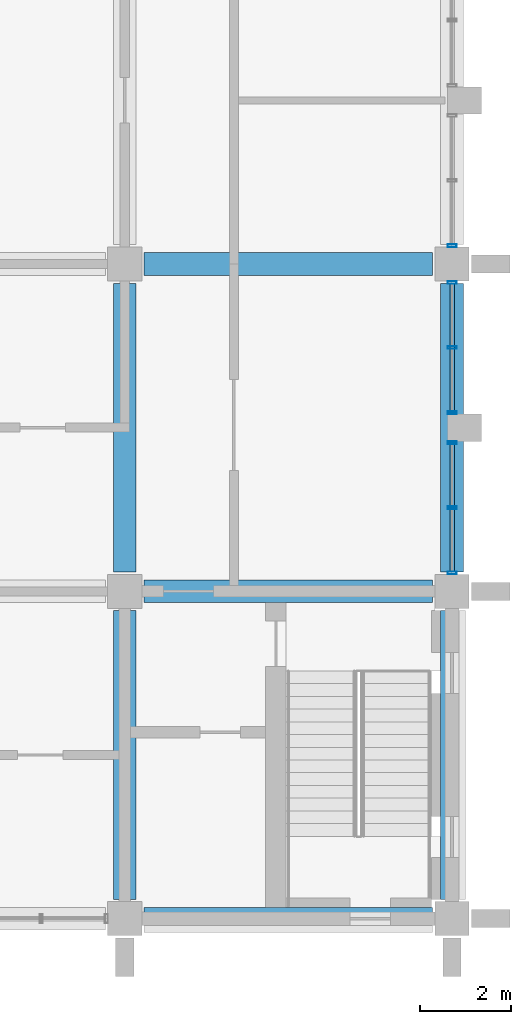
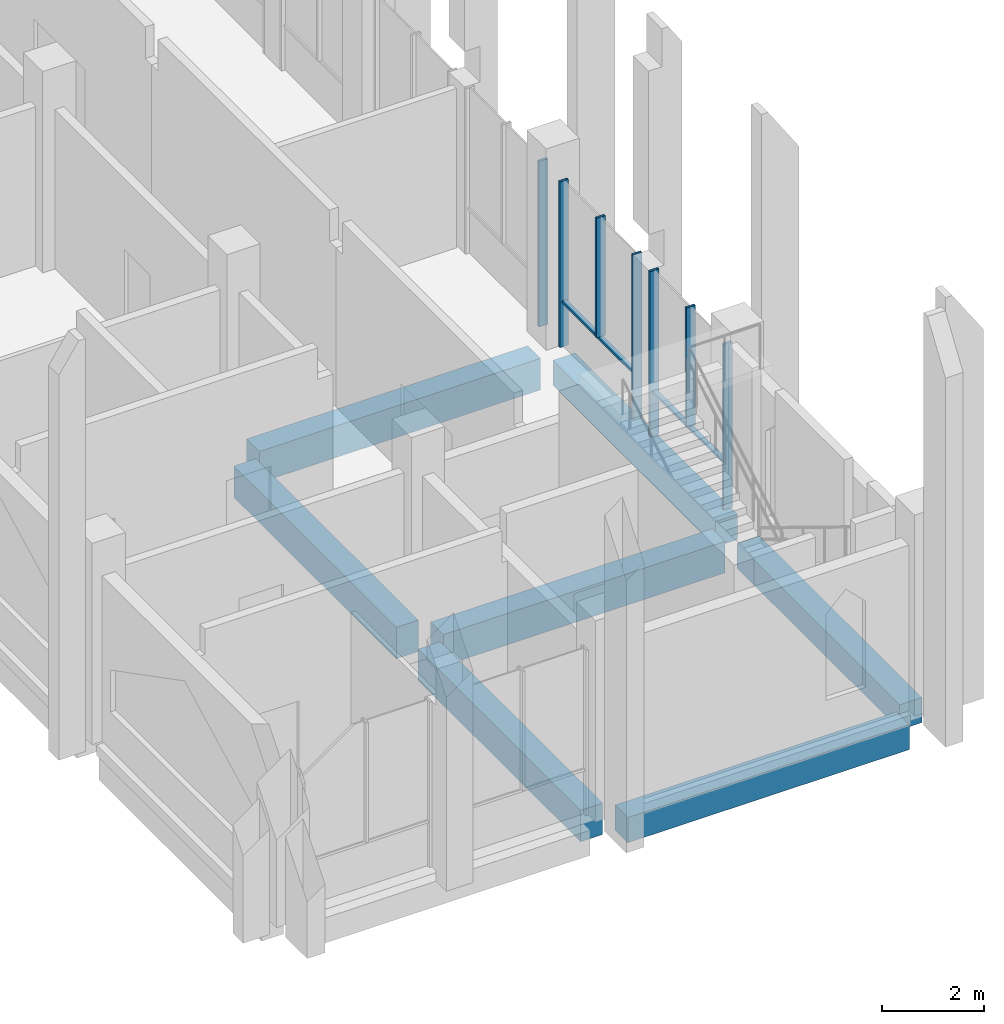
# One storey, part 16 of 40: 9 members, 7 beams, 3 elements without a shape of their own.
"""IFC4 building model written with IfcOpenShell, lengths in metres."""

from ifc_helpers import new_model, si_unit, direction, frame, origin, origin_2d, place, context, subcontext, project, spatial, rectangle, hollow_rectangle, extrude, material, material_profile, profile_set, type_object, element, aggregate, save


model = new_model("IFC4")

# Units and contexts
model_context = context("Model", 3, precision=1e-05, world=origin(), true_north=direction((0.0, 1.0)))
body_context = subcontext(model_context, "Body", "Model", "MODEL_VIEW")
ifc_project = project(units=[si_unit("LENGTHUNIT", "METRE"), si_unit("AREAUNIT", "SQUARE_METRE"), si_unit("VOLUMEUNIT", "CUBIC_METRE"), si_unit("PLANEANGLEUNIT", "RADIAN"), si_unit("MASSUNIT", "GRAM", prefix="KILO")], contexts=[model_context])

# Site, building, storey
site_placement = place(None, origin())
site = spatial("IfcSite", under=ifc_project, at=site_placement, CompositionType="ELEMENT")
building_placement = place(site_placement, origin())
building = spatial("IfcBuilding", under=site, at=building_placement, Name="Silangan Lancet Faculty of Sciences", CompositionType="ELEMENT")
storey_placement = place(building_placement, frame((0.0, 0.0, 21.60009765625)))
storey = spatial("IfcBuildingStorey", under=building, at=storey_placement, Name="L04", CompositionType="ELEMENT", Elevation=21.60009765625)

# Beams
ifc_material_1 = material(Name="Concrete C40/50", Category="concrete")
ifc_material_profile_1 = material_profile(ifc_material_1, rectangle(XDim=0.5, YDim=0.60009765625, at=origin_2d()), Name="RC 500x600")
ifc_profile_set_1 = profile_set([ifc_material_profile_1], Name="Concrete C40/50")
beam_type_1 = type_object("IfcBeamType", Name="BEAM RC 500x600", PredefinedType="BEAM", material=ifc_profile_set_1)
beam_1_placement = place(storey_placement, frame((79.625, 0.0, -0.550048828125), z_axis=(1.0, 0.0, 0.0), x_axis=(0.0, 1.0, 0.0)))
element("IfcBeam", 1, at=beam_1_placement, inside=storey, type_object=beam_type_1, Name="BM-L04-12A-13A", PredefinedType="BEAM", context=body_context, shape_type="SweptSolid", body=[
    extrude(rectangle(XDim=0.5, YDim=0.60009765625, at=origin_2d()), origin(), (0.0, 0.0, 1.0), 6.35009765625),
])
beam_2_placement = place(storey_placement, frame((86.39990234375, 0.425048828125, -0.550048828125), z_axis=(0.0, 1.0, 0.0), x_axis=(-1.0, 0.0, 0.0)))
element("IfcBeam", 2, at=beam_2_placement, inside=storey, type_object=beam_type_1, Name="BM-L04-13A-13B", PredefinedType="BEAM", context=body_context, shape_type="SweptSolid", body=[
    extrude(rectangle(XDim=0.5, YDim=0.60009765625, at=origin_2d()), origin(), (0.0, 0.0, 1.0), 6.349853515625),
])
beam_3_placement = place(storey_placement, frame((86.39990234375, 7.625, -0.550048828125), z_axis=(0.0, 1.0, 0.0), x_axis=(-1.0, 0.0, 0.0)))
element("IfcBeam", 3, at=beam_3_placement, inside=storey, type_object=beam_type_1, Name="BM-L04-13B-13C", PredefinedType="BEAM", context=body_context, shape_type="SweptSolid", body=[
    extrude(rectangle(XDim=0.5, YDim=0.60009765625, at=origin_2d()), origin(), (0.0, 0.0, 1.0), 6.35009765625),
])
ifc_material_2 = material(Name="Concrete C40/50", Category="concrete")
ifc_material_profile_2 = material_profile(ifc_material_2, rectangle(XDim=0.5, YDim=0.75, at=origin_2d()), Name="RC 500x750")
ifc_profile_set_2 = profile_set([ifc_material_profile_2], Name="Concrete C40/50")
beam_type_2 = type_object("IfcBeamType", Name="BEAM RC 500x750", PredefinedType="BEAM", material=ifc_profile_set_2)
for number, where, z_axis, x_axis, name in (
    (4, (79.625, 7.199951171875, -0.625), (1.0, 0.0, 0.0), (0.0, 1.0, 0.0), "BM-L04-12B-13B"),
    (5, (79.625, 14.39990234375, -0.625), (1.0, 0.0, 0.0), (0.0, 1.0, 0.0), "BM-L04-12C-13C"),
):
    element("IfcBeam", number, at=place(storey_placement, frame(where, z_axis=z_axis, x_axis=x_axis)), inside=storey, type_object=beam_type_2, Name=name, PredefinedType="BEAM", context=body_context, shape_type="SweptSolid", body=[
        extrude(rectangle(XDim=0.5, YDim=0.75, at=origin_2d()), origin(), (0.0, 0.0, 1.0), 6.35009765625),
    ])
beam_4_placement = place(storey_placement, frame((79.199951171875, 0.425048828125, -0.625), z_axis=(0.0, 1.0, 0.0), x_axis=(-1.0, 0.0, 0.0)))
element("IfcBeam", 6, at=beam_4_placement, inside=storey, type_object=beam_type_2, Name="BM-L04-12A-12B", PredefinedType="BEAM", context=body_context, shape_type="SweptSolid", body=[
    extrude(rectangle(XDim=0.5, YDim=0.75, at=origin_2d()), origin(), (0.0, 0.0, 1.0), 6.349853515625),
])
beam_5_placement = place(storey_placement, frame((79.199951171875, 7.625, -0.625), z_axis=(0.0, 1.0, 0.0), x_axis=(-1.0, 0.0, 0.0)))
element("IfcBeam", 7, at=beam_5_placement, inside=storey, type_object=beam_type_2, Name="BM-L04-12B-12C", PredefinedType="BEAM", context=body_context, shape_type="SweptSolid", body=[
    extrude(rectangle(XDim=0.5, YDim=0.75, at=origin_2d()), origin(), (0.0, 0.0, 1.0), 6.35009765625),
])

# Curtain wall, members
ifc_material_3 = material(Name="Aluminium framed curtain wall with insulated glass", Category="aluminium")
curtain_wall_type = type_object("IfcCurtainWallType", Name="CW1 Commons and east block glazing", PredefinedType="NOTDEFINED", material=ifc_material_3)
curtain_wall_1_placement = place(storey_placement, origin())
curtain_wall_1 = element("IfcCurtainWall", 8, at=curtain_wall_1_placement, inside=storey, type_object=curtain_wall_type, Name="CW1 East commons L04 bay 1", PredefinedType="NOTDEFINED")
ifc_material_4 = material(Name="Aluminium 6063-T6 extrusion", Category="aluminium")
ifc_material_profile_3 = material_profile(ifc_material_4, hollow_rectangle(XDim=0.06005859375, YDim=0.199951171875, WallThickness=0.00390625, at=origin_2d()), Name="AL BOX 60x200x4")
ifc_profile_set_3 = profile_set([ifc_material_profile_3], Name="Aluminium 6063-T6 extrusion")
member_type_1 = type_object("IfcMemberType", Name="CM1 Mullion 60x200", PredefinedType="MULLION", material=ifc_profile_set_3)
member_1_placement = place(storey_placement, frame((86.39990234375, 7.60498046875, 0.0), z_axis=(0.0, 0.0, 1.0), x_axis=(0.0, 1.0, 0.0)))
member_1 = element("IfcMember", 9, at=member_1_placement, type_object=member_type_1, Name="CW1 East commons L04 bay 1 mullion 1", PredefinedType="MULLION", context=body_context, shape_type="SweptSolid", body=[
    extrude(hollow_rectangle(XDim=0.06005859375, YDim=0.199951171875, WallThickness=0.00390625, at=origin_2d()), origin(), (0.0, 0.0, 1.0), 3.949951171875),
])
member_2_placement = place(storey_placement, frame((86.39990234375, 10.469970703125, 0.0), z_axis=(0.0, 0.0, 1.0), x_axis=(0.0, 1.0, 0.0)))
member_2 = element("IfcMember", 10, at=member_2_placement, type_object=member_type_1, Name="CW1 East commons L04 bay 1 mullion 2", PredefinedType="MULLION", context=body_context, shape_type="SweptSolid", body=[
    extrude(hollow_rectangle(XDim=0.06005859375, YDim=0.199951171875, WallThickness=0.00390625, at=origin_2d()), origin(), (0.0, 0.0, 1.0), 3.949951171875),
])
member_3_placement = place(storey_placement, frame((86.39990234375, 9.03759765625, 1.099853515625), z_axis=(0.0, 0.0, 1.0), x_axis=(0.0, 1.0, 0.0)))
member_3 = element("IfcMember", 11, at=member_3_placement, type_object=member_type_1, Name="CW1 East commons L04 bay 1 mullion 3", PredefinedType="MULLION", context=body_context, shape_type="SweptSolid", body=[
    extrude(hollow_rectangle(XDim=0.06005859375, YDim=0.199951171875, WallThickness=0.00390625, at=origin_2d()), origin(), (0.0, 0.0, 1.0), 2.85009765625),
])

curtain_wall_2_placement = place(storey_placement, origin())
curtain_wall_2 = element("IfcCurtainWall", 12, at=curtain_wall_2_placement, inside=storey, type_object=curtain_wall_type, Name="CW1 East commons L04 bay 2", PredefinedType="NOTDEFINED")
member_4_placement = place(storey_placement, frame((86.39990234375, 11.1298828125, 0.0), z_axis=(0.0, 0.0, 1.0), x_axis=(0.0, 1.0, 0.0)))
member_4 = element("IfcMember", 13, at=member_4_placement, type_object=member_type_1, Name="CW1 East commons L04 bay 2 mullion 1", PredefinedType="MULLION", context=body_context, shape_type="SweptSolid", body=[
    extrude(hollow_rectangle(XDim=0.06005859375, YDim=0.199951171875, WallThickness=0.00390625, at=origin_2d()), origin(), (0.0, 0.0, 1.0), 3.949951171875),
])
member_5_placement = place(storey_placement, frame((86.39990234375, 13.9951171875, 0.0), z_axis=(0.0, 0.0, 1.0), x_axis=(0.0, 1.0, 0.0)))
member_5 = element("IfcMember", 14, at=member_5_placement, type_object=member_type_1, Name="CW1 East commons L04 bay 2 mullion 2", PredefinedType="MULLION", context=body_context, shape_type="SweptSolid", body=[
    extrude(hollow_rectangle(XDim=0.06005859375, YDim=0.199951171875, WallThickness=0.00390625, at=origin_2d()), origin(), (0.0, 0.0, 1.0), 3.949951171875),
])
member_6_placement = place(storey_placement, frame((86.39990234375, 12.5625, 1.099853515625), z_axis=(0.0, 0.0, 1.0), x_axis=(0.0, 1.0, 0.0)))
member_6 = element("IfcMember", 15, at=member_6_placement, type_object=member_type_1, Name="CW1 East commons L04 bay 2 mullion 3", PredefinedType="MULLION", context=body_context, shape_type="SweptSolid", body=[
    extrude(hollow_rectangle(XDim=0.06005859375, YDim=0.199951171875, WallThickness=0.00390625, at=origin_2d()), origin(), (0.0, 0.0, 1.0), 2.85009765625),
])

# Curtain wall, member
curtain_wall_3_placement = place(storey_placement, origin())
curtain_wall_3 = element("IfcCurtainWall", 16, at=curtain_wall_3_placement, inside=storey, type_object=curtain_wall_type, Name="CW1 East commons L04 bay 3", PredefinedType="NOTDEFINED")
member_7_placement = place(storey_placement, frame((86.39990234375, 14.804931640625, 0.0), z_axis=(0.0, 0.0, 1.0), x_axis=(0.0, 1.0, 0.0)))
member_7 = element("IfcMember", 17, at=member_7_placement, type_object=member_type_1, Name="CW1 East commons L04 bay 3 mullion 1", PredefinedType="MULLION", context=body_context, shape_type="SweptSolid", body=[
    extrude(hollow_rectangle(XDim=0.06005859375, YDim=0.199951171875, WallThickness=0.00390625, at=origin_2d()), origin(), (0.0, 0.0, 1.0), 3.949951171875),
])
aggregate(curtain_wall_3, [member_7])

# Member
ifc_material_5 = material(Name="Aluminium 6063-T6 extrusion", Category="aluminium")
ifc_material_profile_4 = material_profile(ifc_material_5, hollow_rectangle(XDim=0.10009765625, YDim=0.06005859375, WallThickness=0.0029296875, at=origin_2d()), Name="AL BOX 100x60x3")
ifc_profile_set_4 = profile_set([ifc_material_profile_4], Name="Aluminium 6063-T6 extrusion")
member_type_2 = type_object("IfcMemberType", Name="CT1 Transom 100x60", PredefinedType="USERDEFINED", material=ifc_profile_set_4)
member_8_placement = place(storey_placement, frame((86.39990234375, 7.635009765625, 1.06982421875), z_axis=(0.0, 1.0, 0.0), x_axis=(-1.0, 0.0, 0.0)))
member_8 = element("IfcMember", 18, at=member_8_placement, type_object=member_type_2, Name="CW1 East commons L04 bay 1 transom 1", ObjectType="TRANSOM", PredefinedType="USERDEFINED", context=body_context, shape_type="SweptSolid", body=[
    extrude(hollow_rectangle(XDim=0.10009765625, YDim=0.06005859375, WallThickness=0.0029296875, at=origin_2d()), origin(), (0.0, 0.0, 1.0), 2.804931640625),
])

aggregate(curtain_wall_1, [member_1, member_2, member_3, member_8])

member_9_placement = place(storey_placement, frame((86.39990234375, 11.159912109375, 1.06982421875), z_axis=(0.0, 1.0, 0.0), x_axis=(-1.0, 0.0, 0.0)))
member_9 = element("IfcMember", 19, at=member_9_placement, type_object=member_type_2, Name="CW1 East commons L04 bay 2 transom 1", ObjectType="TRANSOM", PredefinedType="USERDEFINED", context=body_context, shape_type="SweptSolid", body=[
    extrude(hollow_rectangle(XDim=0.10009765625, YDim=0.06005859375, WallThickness=0.0029296875, at=origin_2d()), origin(), (0.0, 0.0, 1.0), 2.80517578125),
])

aggregate(curtain_wall_2, [member_4, member_5, member_6, member_9])

save(model, "model.ifc")
